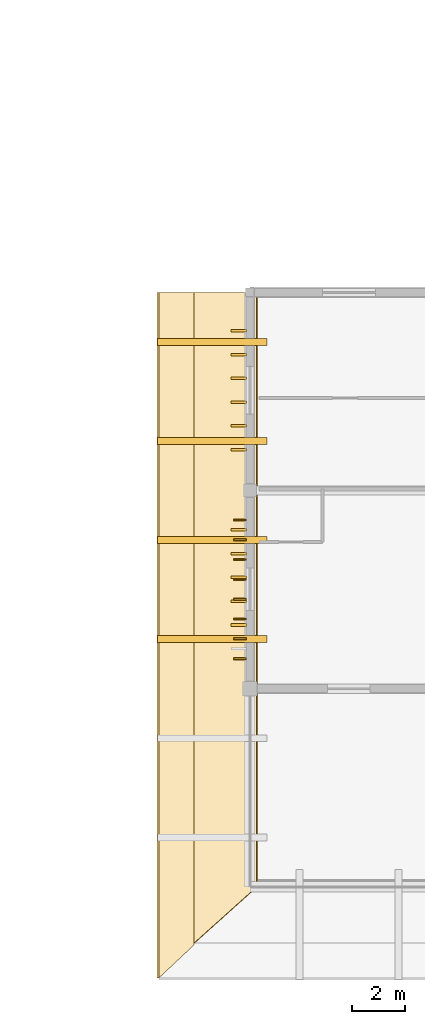
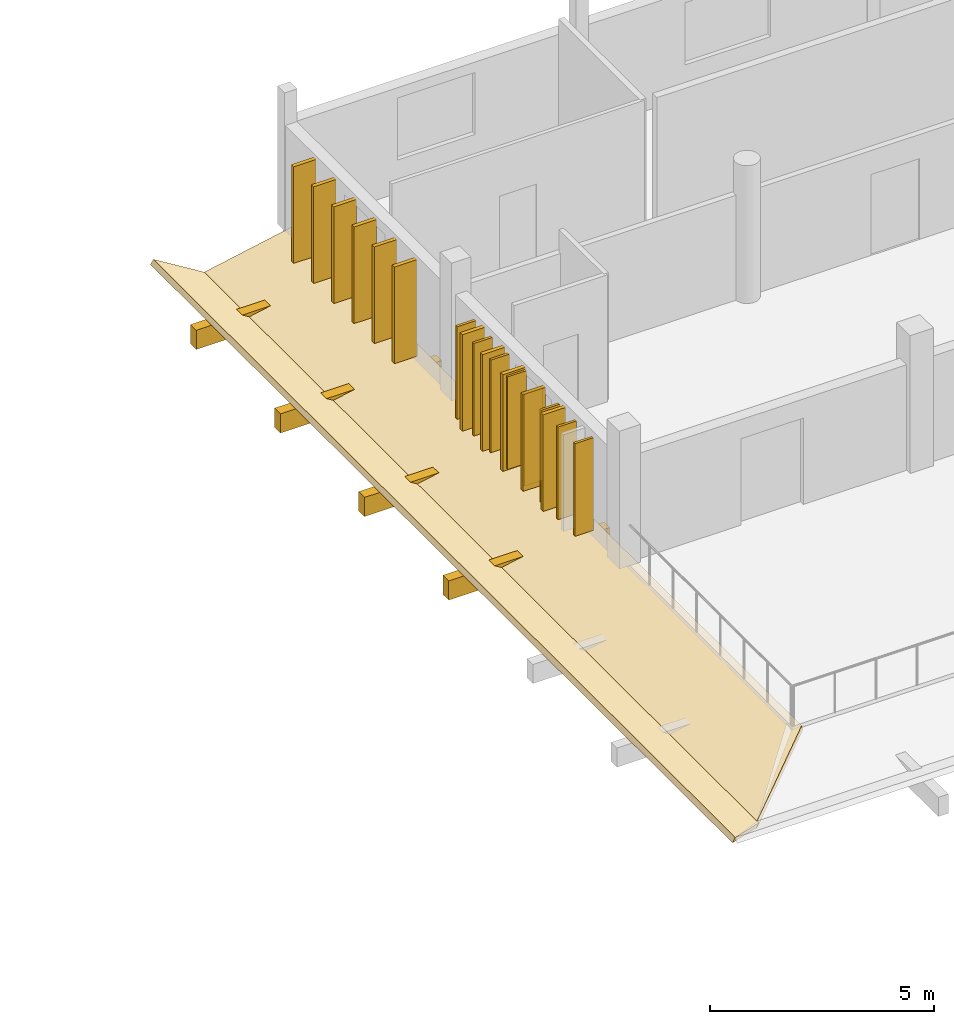
# One storey, part 34 of 43: 17 coverings, 8 shading devices.
"""IFC4 building model written with IfcOpenShell, lengths in metres."""

import ifcopenshell
import ifcopenshell.guid

model = None  # the IFC model being written
_history = None  # IfcOwnerHistory: only IFC2X3 demands one
_inside = {}  # id of a spatial element -> (the spatial element, [elements in it])
_under = {}  # id of a project, library or spatial element -> (it, [spatial elements below it])
_declared = {}  # id of a project -> (the project, [libraries it declares])
_typed = {}  # id of a type object -> (the type object, [elements of that type])
_made_of = {}  # id of a material, layer set ... -> (it, [elements and type objects made of it])


def new_model(schema):
    """Start an empty IFC model of exactly this schema.

    Asked for "IFC4X3", IfcOpenShell would pick the latest addendum, in which some entities
    have other attributes; the version numbers below select the first issue.
    IFC2X3 requires an IfcOwnerHistory on every rooted entity: one is made here for all.
    """
    global model, _history
    if schema == "IFC4X3":
        model = ifcopenshell.file(schema_version=(4, 3, 0, 0))
    else:
        model = ifcopenshell.file(schema=schema)
    _inside.clear()
    _under.clear()
    _declared.clear()
    _typed.clear()
    _made_of.clear()
    _history = None
    if model.schema == "IFC2X3":
        org = make("IfcOrganization", Name="unknown")
        user = make(
            "IfcPersonAndOrganization",
            ThePerson=make("IfcPerson", FamilyName="unknown"),
            TheOrganization=org,
        )
        app = make(
            "IfcApplication",
            ApplicationDeveloper=org,
            Version="unknown",
            ApplicationFullName="unknown",
            ApplicationIdentifier="unknown",
        )
        _history = make(
            "IfcOwnerHistory",
            OwningUser=user,
            OwningApplication=app,
            ChangeAction="ADDED",
            CreationDate=0,
        )
    return model


def make(cls, **values):
    """One entity of the class cls with the attributes given. An attribute that is None is left unset."""
    return model.create_entity(
        cls, **{name: value for name, value in values.items() if value is not None}
    )


def rooted(cls, **values):
    """An entity with a GlobalId (a new one), such as an element, a storey or a relation."""
    return make(cls, GlobalId=ifcopenshell.guid.new(), OwnerHistory=_history, **values)


def si_unit(unit_type, name, prefix=None):
    """IfcSIUnit, for example si_unit("LENGTHUNIT", "METRE", prefix="MILLI")."""
    return make("IfcSIUnit", UnitType=unit_type, Prefix=prefix, Name=name)


def assignment(units):
    """IfcUnitAssignment: the units of a project."""
    return None if units is None else make("IfcUnitAssignment", Units=units)


def point(xyz):
    """IfcCartesianPoint."""
    return None if xyz is None else make("IfcCartesianPoint", Coordinates=xyz)


def direction(xyz):
    """IfcDirection."""
    return None if xyz is None else make("IfcDirection", DirectionRatios=xyz)


def frame(location, z_axis=None, x_axis=None):
    """IfcAxis2Placement3D, a coordinate frame: its origin and axes. An axis left out is left unset."""
    return make(
        "IfcAxis2Placement3D",
        Location=point(location),
        Axis=direction(z_axis),
        RefDirection=direction(x_axis),
    )


def frame_2d(location, x_axis=None):
    """IfcAxis2Placement2D, a coordinate frame in the plane: its origin and x axis."""
    return make(
        "IfcAxis2Placement2D", Location=point(location), RefDirection=direction(x_axis)
    )


def origin():
    """The frame at (0, 0, 0) with its axes left unset."""
    return frame((0.0, 0.0, 0.0))


def origin_2d():
    """The frame at (0, 0) in the plane with its x axis left unset."""
    return frame_2d((0.0, 0.0))


def place(relative_to, where):
    """IfcLocalPlacement: puts the frame where relative to a parent placement (None: the world)."""
    return make(
        "IfcLocalPlacement", PlacementRelTo=relative_to, RelativePlacement=where
    )


def context(
    kind, dimensions, precision=None, world=None, true_north=None, identifier=None
):
    """IfcGeometricRepresentationContext, for example the 3D "Model" context."""
    return make(
        "IfcGeometricRepresentationContext",
        ContextIdentifier=identifier,
        ContextType=kind,
        CoordinateSpaceDimension=dimensions,
        Precision=precision,
        WorldCoordinateSystem=world,
        TrueNorth=true_north,
    )


def subcontext(parent, identifier, kind, view, scale=None):
    """IfcGeometricRepresentationSubContext, for example "Body" below "Model"."""
    return make(
        "IfcGeometricRepresentationSubContext",
        ContextIdentifier=identifier,
        ContextType=kind,
        ParentContext=parent,
        TargetScale=scale,
        TargetView=view,
    )


def project(units=None, contexts=None):
    """IfcProject with its units and contexts."""
    return rooted(
        "IfcProject",
        Name="project",
        RepresentationContexts=contexts,
        UnitsInContext=assignment(units),
    )


def spatial(cls, under=None, at=None, **own):
    """A site, building, storey or space (cls), placed at a placement, below another one or the project."""
    s = rooted(cls, ObjectPlacement=at, **own)
    if under is not None:
        _under.setdefault(under.id(), (under, []))[1].append(s)
    return s


def polyline(points):
    """IfcPolyline through the points."""
    return make("IfcPolyline", Points=[point(p) for p in points])


def profile(cls, at=None, kind="AREA", **sizes):
    """A parametric profile (cls). Its sizes go by their IFC names, for example OverallWidth=200.0."""
    return make(cls, ProfileType=kind, Position=at, **sizes)


def rectangle(**sizes):
    """IfcRectangleProfileDef."""
    return profile("IfcRectangleProfileDef", **sizes)


def outline(outer, holes=None, kind="AREA"):
    """IfcArbitraryClosedProfileDef: a profile drawn as a closed curve; with holes, ...WithVoids."""
    if holes is None:
        return make("IfcArbitraryClosedProfileDef", ProfileType=kind, OuterCurve=outer)
    return make(
        "IfcArbitraryProfileDefWithVoids",
        ProfileType=kind,
        OuterCurve=outer,
        InnerCurves=holes,
    )


def extrude(swept, where, along, depth):
    """IfcExtrudedAreaSolid: the profile swept, set in the frame where, extruded along a direction by depth."""
    return make(
        "IfcExtrudedAreaSolid",
        SweptArea=swept,
        Position=where,
        ExtrudedDirection=direction(along),
        Depth=depth,
    )


def shape(context_of_items, identifier, shape_type, items):
    """IfcShapeRepresentation: the items that make up one representation, for example the "Body"."""
    return make(
        "IfcShapeRepresentation",
        ContextOfItems=context_of_items,
        RepresentationIdentifier=identifier,
        RepresentationType=shape_type,
        Items=items,
    )


def material(Name=None, Category=None):
    """IfcMaterial."""
    return make("IfcMaterial", Name=Name, Category=Category)


def layer(
    of_material, thickness, ventilated=None, Name=None, Category=None, Priority=None
):
    """IfcMaterialLayer: one layer of a wall or slab, of a material (None: an air gap)."""
    return make(
        "IfcMaterialLayer",
        Material=of_material,
        LayerThickness=thickness,
        IsVentilated=ventilated,
        Name=Name,
        Category=Category,
        Priority=Priority,
    )


def layer_set(layers, Name=None):
    """IfcMaterialLayerSet."""
    return make("IfcMaterialLayerSet", MaterialLayers=layers, LayerSetName=Name)


def made_of(thing, what):
    """Note that an element or type object is made of a material, layer set ...; save() writes the relation."""
    if what is not None:
        _made_of.setdefault(what.id(), (what, []))[1].append(thing)
    return thing


def type_object(cls, material=None, **own):
    """A type object (cls), such as IfcWallType, which elements share."""
    return made_of(rooted(cls, **own), material)


def element(
    cls,
    number,
    at=None,
    inside=None,
    cuts=None,
    type_object=None,
    material=None,
    context=None,
    identifier="Body",
    shape_type=None,
    held_by="IfcProductDefinitionShape",
    body=None,
    shapes=None,
    **own,
):
    """One element of the class cls, such as IfcWall. Its Tag is "e" and its number.

    at: its placement. inside: the storey or other place that contains it. cuts: it is an
    opening in that element (IfcRelVoidsElement). A single representation is given by context,
    identifier, shape_type and body (its items); several are given by shapes. held_by: the class
    of the entity that holds the representations. save() writes the other relations.
    """
    e = rooted(cls, Tag="e%d" % number, ObjectPlacement=at, **own)
    if body is not None:
        shapes = [shape(context, identifier, shape_type, body)]
    if shapes is not None:
        e.Representation = make(held_by, Representations=shapes)
    if inside is not None:
        _inside.setdefault(inside.id(), (inside, []))[1].append(e)
    if cuts is not None:
        rooted(
            "IfcRelVoidsElement", RelatingBuildingElement=cuts, RelatedOpeningElement=e
        )
    if type_object is not None:
        _typed.setdefault(type_object.id(), (type_object, []))[1].append(e)
    return made_of(e, material)


def aggregate(whole, parts):
    """IfcRelAggregates: a whole, such as a stair, and the parts it consists of."""
    return rooted("IfcRelAggregates", RelatingObject=whole, RelatedObjects=parts)


def save(model, path):
    """Write the relations noted so far, then the file.

    IfcRelAggregates (storeys below a building ...), IfcRelContainedInSpatialStructure (elements
    in a storey), IfcRelDefinesByType, IfcRelAssociatesMaterial and IfcRelDeclares: one each for
    every whole, place, type object, material and project.
    """
    for whole, parts in _under.values():
        aggregate(whole, parts)
    for where, things in _inside.values():
        rooted(
            "IfcRelContainedInSpatialStructure",
            RelatedElements=things,
            RelatingStructure=where,
        )
    for kind, things in _typed.values():
        rooted("IfcRelDefinesByType", RelatedObjects=things, RelatingType=kind)
    for what, things in _made_of.values():
        rooted("IfcRelAssociatesMaterial", RelatedObjects=things, RelatingMaterial=what)
    for by, libraries in _declared.values():
        rooted("IfcRelDeclares", RelatingContext=by, RelatedDefinitions=libraries)
    model.write(path)


model = new_model("IFC4")

# Units and contexts
model_context = context("Model", 3, precision=1e-05, world=origin(), true_north=direction((0.0, 1.0)))
body_context = subcontext(model_context, "Body", "Model", "MODEL_VIEW")
ifc_project = project(units=[si_unit("LENGTHUNIT", "METRE"), si_unit("AREAUNIT", "SQUARE_METRE"), si_unit("VOLUMEUNIT", "CUBIC_METRE"), si_unit("PLANEANGLEUNIT", "RADIAN"), si_unit("MASSUNIT", "GRAM", prefix="KILO")], contexts=[model_context])

# Site, building, storey
site_placement = place(None, origin())
site = spatial("IfcSite", under=ifc_project, at=site_placement, CompositionType="ELEMENT")
building_placement = place(site_placement, origin())
building = spatial("IfcBuilding", under=site, at=building_placement, Name="Dalvernix Boulevard General Hospital", CompositionType="ELEMENT")
storey_placement = place(building_placement, frame((0.0, 0.0, 14.10009765625)))
storey = spatial("IfcBuildingStorey", under=building, at=storey_placement, Name="L03", CompositionType="ELEMENT", Elevation=14.10009765625)

# Coverings
ifc_material_1 = material(Name="Glazed Catalan terracotta and iroko timber overhanging upturned eave", Category="masonry")
ifc_layer_1 = layer(ifc_material_1, 0.139892578125)
ifc_layer_set_1 = layer_set([ifc_layer_1], Name="Glazed Catalan terracotta and iroko timber overhanging upturned eave (COV-EAVE-01)")
covering_type_1 = type_object("IfcCoveringType", Name="COV-EAVE-01", PredefinedType="CLADDING", material=ifc_layer_set_1)
covering_1_placement = place(storey_placement, frame((112.75, 22.5, -0.06005859375), z_axis=(-0.192259352231, 0.0, 0.981344150377), x_axis=(0.0, -1.0, 0.0)))
element("IfcCovering", 1, at=covering_1_placement, inside=storey, type_object=covering_type_1, Name="TIER-V5-BASE overhanging ceramic eave skirt W", PredefinedType="CLADDING", context=body_context, shape_type="SweptSolid", body=[
    extrude(outline(polyline([(0.0, 0.0), (22.5, 0.0), (24.699951171875, -2.4965259852349138), (0.0, -2.4965259852349138), (0.0, 0.0)])), origin(), (0.0, 0.0, -1.0), 0.139892578125),
])
covering_2_placement = place(storey_placement, frame((110.3798828125, 22.5, -0.5400390625), z_axis=(0.524777364287, 0.0, 0.851239518544), x_axis=(0.0, -1.0, 0.0)))
element("IfcCovering", 2, at=covering_2_placement, inside=storey, type_object=covering_type_1, Name="TIER-V5-BASE upturned ceramic eave wing W", PredefinedType="CLADDING", context=body_context, shape_type="SweptSolid", body=[
    extrude(outline(polyline([(0.0, 0.0), (24.699951171875, 0.0), (25.949951171875, -1.5622324332978543), (0.0, -1.5622324332978543), (0.0, 0.0)])), origin(), (0.0, 0.0, -1.0), 0.139892578125),
])
ifc_material_2 = material(Name="Terracotta-clad iroko timber brise-soleil sun-breaker fin", Category="masonry")
ifc_layer_2 = layer(ifc_material_2, 0.10009765625)
ifc_layer_set_2 = layer_set([ifc_layer_2], Name="Terracotta-clad iroko timber brise-soleil sun-breaker fin (COV-FIN-02)")
covering_type_2 = type_object("IfcCoveringType", Name="COV-FIN-02", PredefinedType="CLADDING", material=ifc_layer_set_2)
for number, where, z_axis, x_axis, name in (
    (3, (112.080078125, 9.91259765625, 0.119873046875), (0.0, 0.0, 1.0), (0.0, 1.0, 0.0), "L03 terracotta brise-soleil fin W 15-1-2"),
    (4, (112.080078125, 10.8125, 0.119873046875), (0.0, 0.0, 1.0), (0.0, 1.0, 0.0), "L03 terracotta brise-soleil fin W 15-1-3"),
    (5, (112.080078125, 11.71240234375, 0.119873046875), (0.0, 0.0, 1.0), (0.0, 1.0, 0.0), "L03 terracotta brise-soleil fin W 15-1-4"),
    (6, (112.080078125, 12.612548828125, 0.119873046875), (0.0, 0.0, 1.0), (0.0, 1.0, 0.0), "L03 terracotta brise-soleil fin W 15-1-5"),
    (7, (112.080078125, 13.512451171875, 0.119873046875), (0.0, 0.0, 1.0), (0.0, 1.0, 0.0), "L03 terracotta brise-soleil fin W 15-1-6"),
    (8, (112.080078125, 16.544921875, 0.119873046875), (0.0, 0.0, 1.0), (0.0, 1.0, 0.0), "L03 terracotta brise-soleil fin W 15-2-1"),
    (9, (112.080078125, 17.445068359375, 0.119873046875), (0.0, 0.0, 1.0), (0.0, 1.0, 0.0), "L03 terracotta brise-soleil fin W 15-2-2"),
    (10, (112.080078125, 18.344970703125, 0.119873046875), (0.0, 0.0, 1.0), (0.0, 1.0, 0.0), "L03 terracotta brise-soleil fin W 15-2-3"),
    (11, (112.080078125, 19.2451171875, 0.119873046875), (0.0, 0.0, 1.0), (0.0, 1.0, 0.0), "L03 terracotta brise-soleil fin W 15-2-4"),
    (12, (112.080078125, 20.14501953125, 0.119873046875), (0.0, 0.0, 1.0), (0.0, 1.0, 0.0), "L03 terracotta brise-soleil fin W 15-2-5"),
    (13, (112.080078125, 21.044921875, 0.119873046875), (0.0, 0.0, 1.0), (0.0, 1.0, 0.0), "L03 terracotta brise-soleil fin W 15-2-6"),
):
    element("IfcCovering", number, at=place(storey_placement, frame(where, z_axis=z_axis, x_axis=x_axis)), inside=storey, type_object=covering_type_2, Name=name, PredefinedType="CLADDING", context=body_context, shape_type="SweptSolid", body=[
        extrude(rectangle(XDim=0.10009765625, YDim=0.580078125, at=origin_2d()), origin(), (0.0, 0.0, 1.0), 2.6298828125),
    ])
ifc_material_3 = material(Name="Preservative-treated glulam GL28h eave outlooker corbel bracket", Category="wood")
ifc_layer_3 = layer(ifc_material_3, 0.239990234375)
ifc_layer_set_3 = layer_set([ifc_layer_3], Name="Preservative-treated glulam GL28h eave outlooker corbel bracket (COV-OUTLOOK-01)")
covering_type_3 = type_object("IfcCoveringType", Name="COV-OUTLOOK-01", PredefinedType="CLADDING", material=ifc_layer_set_3)
for number, where, z_axis, x_axis, name in (
    (14, (111.074951171875, 9.375, -0.940185546875), (0.0, 0.0, 1.0), (1.0, 0.0, 0.0), "TIER-V5-BASE glulam eave outlooker corbel W-3"),
    (15, (111.074951171875, 13.125, -0.940185546875), (0.0, 0.0, 1.0), (1.0, 0.0, 0.0), "TIER-V5-BASE glulam eave outlooker corbel W-4"),
    (16, (111.074951171875, 16.875, -0.940185546875), (0.0, 0.0, 1.0), (1.0, 0.0, 0.0), "TIER-V5-BASE glulam eave outlooker corbel W-5"),
    (17, (111.074951171875, 20.625, -0.940185546875), (0.0, 0.0, 1.0), (1.0, 0.0, 0.0), "TIER-V5-BASE glulam eave outlooker corbel W-6"),
):
    element("IfcCovering", number, at=place(storey_placement, frame(where, z_axis=z_axis, x_axis=x_axis)), inside=storey, type_object=covering_type_3, Name=name, PredefinedType="CLADDING", context=body_context, shape_type="SweptSolid", body=[
        extrude(rectangle(XDim=4.14990234375, YDim=0.260009765625, at=origin_2d()), origin(), (0.0, 0.0, 1.0), 0.52001953125),
    ])

# Shading devices
ifc_material_4 = material(Name="Preservative-treated West African iroko timber", Category="wood")
shading_device_type = type_object("IfcShadingDeviceType", Name="SHD-FIN-01", PredefinedType="USERDEFINED", material=ifc_material_4)
for number, where, z_axis, x_axis, name in (
    (18, (112.1201171875, 8.637451171875, 0.1748046875), (0.0, 0.0, 1.0), (0.0, 1.0, 0.0), "L03 iroko brise-soleil fin 1"),
    (19, (112.1201171875, 9.387451171875, 0.1748046875), (0.0, 0.0, 1.0), (0.0, 1.0, 0.0), "L03 iroko brise-soleil fin 2"),
    (20, (112.1201171875, 10.137451171875, 0.1748046875), (0.0, 0.0, 1.0), (0.0, 1.0, 0.0), "L03 iroko brise-soleil fin 3"),
    (21, (112.1201171875, 10.887451171875, 0.1748046875), (0.0, 0.0, 1.0), (0.0, 1.0, 0.0), "L03 iroko brise-soleil fin 4"),
    (22, (112.1201171875, 11.637451171875, 0.1748046875), (0.0, 0.0, 1.0), (0.0, 1.0, 0.0), "L03 iroko brise-soleil fin 5"),
    (23, (112.1201171875, 12.387451171875, 0.1748046875), (0.0, 0.0, 1.0), (0.0, 1.0, 0.0), "L03 iroko brise-soleil fin 6"),
    (24, (112.1201171875, 13.137451171875, 0.1748046875), (0.0, 0.0, 1.0), (0.0, 1.0, 0.0), "L03 iroko brise-soleil fin 7"),
    (25, (112.1201171875, 13.887451171875, 0.1748046875), (0.0, 0.0, 1.0), (0.0, 1.0, 0.0), "L03 iroko brise-soleil fin 8"),
):
    element("IfcShadingDevice", number, at=place(storey_placement, frame(where, z_axis=z_axis, x_axis=x_axis)), inside=storey, type_object=shading_device_type, Name=name, ObjectType="FIN", PredefinedType="USERDEFINED", context=body_context, shape_type="SweptSolid", body=[
        extrude(rectangle(XDim=0.06494140625, YDim=0.47998046875, at=origin_2d()), origin(), (0.0, 0.0, 1.0), 2.52001953125),
    ])

save(model, "model.ifc")
